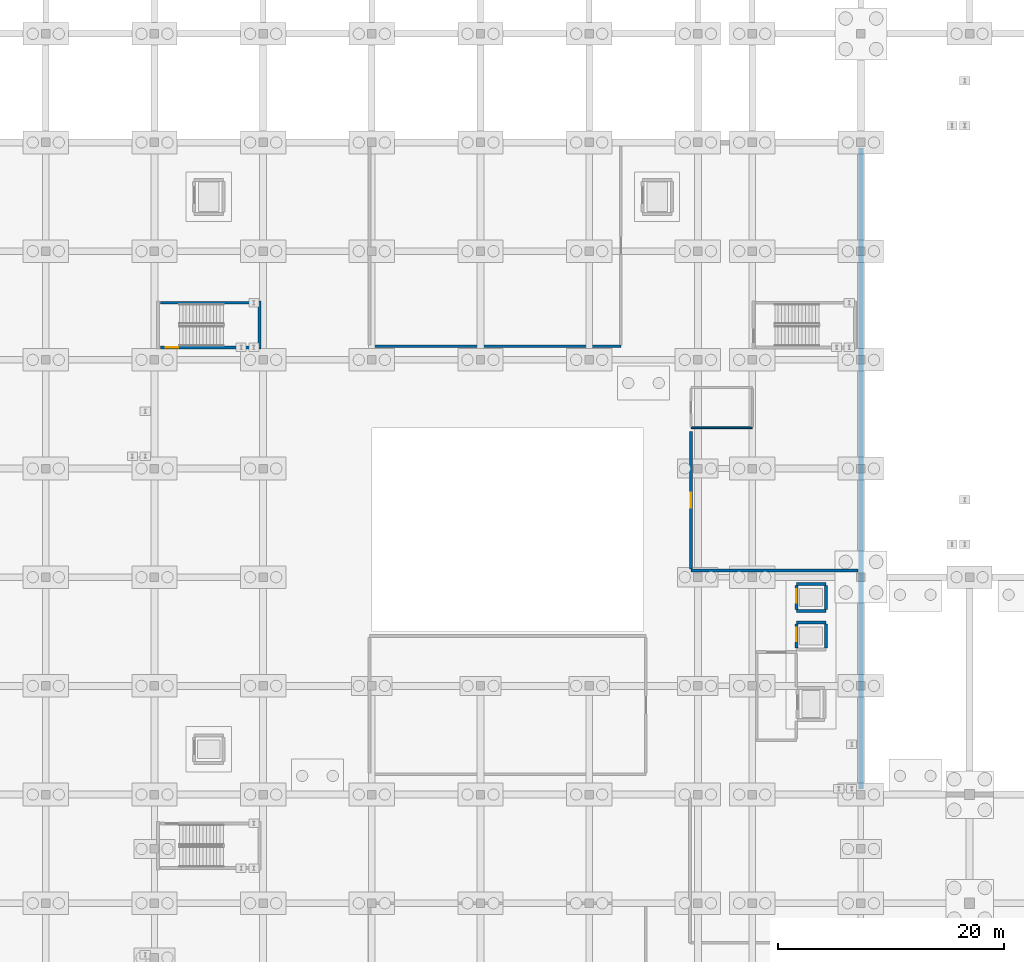
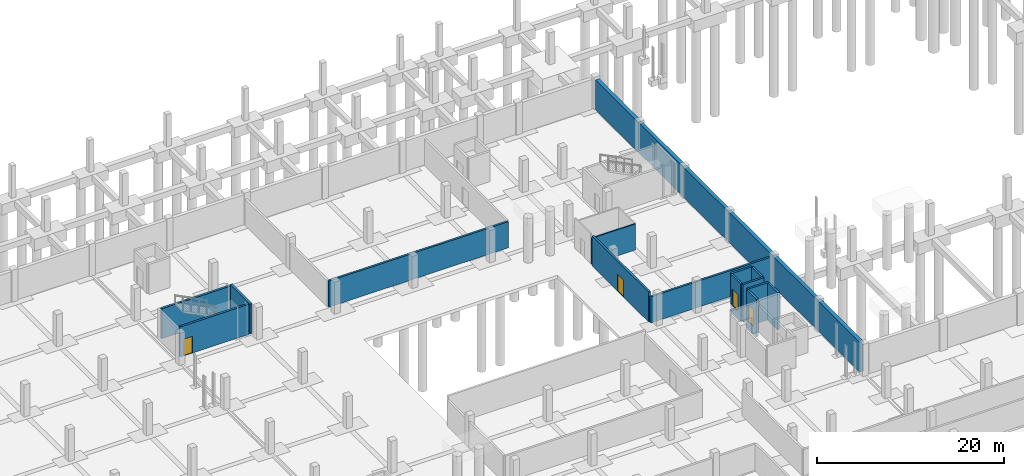
# One storey, part 40 of 54: 15 walls, 4 doors, 4 openings.
"""IFC4 building model written with IfcOpenShell, lengths in metres."""

from ifc_helpers import new_model, si_unit, direction, frame, frame_2d, origin, place, context, subcontext, project, spatial, rectangle, extrude, material, layer, layer_set, type_object, element, fill, save


model = new_model("IFC4")

# Units and contexts
model_context = context("Model", 3, precision=1e-05, world=origin(), true_north=direction((0.0, 1.0)))
body_context = subcontext(model_context, "Body", "Model", "MODEL_VIEW")
ifc_project = project(units=[si_unit("LENGTHUNIT", "METRE"), si_unit("AREAUNIT", "SQUARE_METRE"), si_unit("VOLUMEUNIT", "CUBIC_METRE"), si_unit("PLANEANGLEUNIT", "RADIAN"), si_unit("MASSUNIT", "GRAM", prefix="KILO")], contexts=[model_context])

# Site, building, storey
site_placement = place(None, origin())
site = spatial("IfcSite", under=ifc_project, at=site_placement, CompositionType="ELEMENT")
building_placement = place(site_placement, origin())
building = spatial("IfcBuilding", under=site, at=building_placement, Name="Zevrakil Square Congress Hotel", CompositionType="ELEMENT")
storey_placement = place(building_placement, frame((0.0, 0.0, -8.39990234375)))
storey = spatial("IfcBuildingStorey", under=building, at=storey_placement, Name="B2", CompositionType="ELEMENT", Elevation=-8.39990234375)

# Walls
ifc_material_1 = material(Name="Concrete C35/45", Category="concrete")
ifc_layer_1 = layer(ifc_material_1, 0.239990234375)
ifc_layer_set_1 = layer_set([ifc_layer_1], Name="Concrete C35/45")
wall_type_1 = type_object("IfcWallType", Name="WAL-COMP-240", PredefinedType="SOLIDWALL", material=ifc_layer_set_1)
wall_1_placement = place(storey_placement, frame((74.199951171875, 85.199951171875, 0.0), z_axis=(0.0, 0.0, 1.0), x_axis=(1.0, 0.0, 0.0)))
element("IfcWall", 1, at=wall_1_placement, inside=storey, type_object=wall_type_1, Name="B2 interior partition PW-B2-0092", PredefinedType="SOLIDWALL", context=body_context, shape_type="SweptSolid", body=[
    extrude(rectangle(XDim=22.199951171875, YDim=0.239990234375, at=frame_2d((11.10009765625, 0.0))), origin(), (0.0, 0.0, 1.0), 3.414794921875),
])
wall_2_placement = place(storey_placement, frame((102.60009765625, 65.39990234375, 0.0), z_axis=(0.0, 0.0, 1.0), x_axis=(1.0, 0.0, 0.0)))
element("IfcWall", 2, at=wall_2_placement, inside=storey, type_object=wall_type_1, Name="B2 interior partition PW-B2-0095", PredefinedType="SOLIDWALL", context=body_context, shape_type="SweptSolid", body=[
    extrude(rectangle(XDim=14.75, YDim=0.239990234375, at=frame_2d((7.375, 0.0))), origin(), (0.0, 0.0, 1.0), 3.414794921875),
])

# Wall, opening, door
wall_3_placement = place(storey_placement, frame((102.60009765625, 65.52490234375, 0.0), z_axis=(0.0, 0.0, 1.0), x_axis=(0.0, 1.0, 0.0)))
wall_3 = element("IfcWall", 3, at=wall_3_placement, inside=storey, type_object=wall_type_1, Name="B2 interior partition PW-B2-0096", PredefinedType="SOLIDWALL", context=body_context, shape_type="SweptSolid", body=[
    extrude(rectangle(XDim=12.150146484375, YDim=0.239990234375, at=frame_2d((6.0751953125, 0.0))), origin(), (0.0, 0.0, 1.0), 3.929931640625),
])
opening_1_placement = place(wall_3_placement, frame((5.425048828125, 0.0, 0.0)))
opening_1 = element("IfcOpeningElement", 4, at=opening_1_placement, cuts=wall_3, Name="Opening ID-08", PredefinedType="OPENING", context=body_context, shape_type="SweptSolid", body=[
    extrude(rectangle(XDim=1.300048828125, YDim=2.199951171875, at=frame_2d((0.64990234375, 1.10009765625))), frame((0.0, 0.1298828125, 0.0), z_axis=(0.0, -1.0, 0.0), x_axis=(1.0, 0.0, 0.0)), (0.0, 0.0, 1.0), 0.260009765625),
])
ifc_material_2 = material(Name="Service Corridor Leaf-and-Half Door")
door_type_1 = type_object("IfcDoorType", Name="DOR-BOH-130", OperationType="NOTDEFINED", PredefinedType="DOOR", material=ifc_material_2)
door_1_placement = place(opening_1_placement, origin())
door_1 = element("IfcDoor", 5, at=door_1_placement, inside=storey, type_object=door_type_1, Name="B2 interior door 34", OperationType="SINGLE_SWING_RIGHT", OverallHeight=2.199951171875, OverallWidth=1.300048828125, PredefinedType="DOOR", context=body_context, shape_type="SweptSolid", body=[
    extrude(rectangle(XDim=1.300048828125, YDim=2.199951171875, at=frame_2d((0.64990234375, 1.10009765625))), frame((0.0, 0.02490234375, 0.0), z_axis=(0.0, -1.0, 0.0), x_axis=(1.0, 0.0, 0.0)), (0.0, 0.0, 1.0), 0.050048828125),
])
fill(opening_1, door_1)

# Walls
ifc_material_3 = material(Name="Gypsum Acoustic Stud Partition")
ifc_layer_2 = layer(ifc_material_3, 0.159912109375)
ifc_layer_set_2 = layer_set([ifc_layer_2], Name="Gypsum Acoustic Stud Partition")
wall_type_2 = type_object("IfcWallType", Name="WAL-CORR-160", PredefinedType="PARTITIONING", material=ifc_layer_set_2)
wall_4_placement = place(storey_placement, frame((102.60009765625, 78.0, 0.0), z_axis=(0.0, 0.0, 1.0), x_axis=(1.0, 0.0, 0.0)))
element("IfcWall", 6, at=wall_4_placement, inside=storey, type_object=wall_type_2, Name="B2 interior partition PW-B2-0081", PredefinedType="PARTITIONING", context=body_context, shape_type="SweptSolid", body=[
    extrude(rectangle(XDim=5.39990234375, YDim=0.159912109375, at=frame_2d((2.699951171875, 0.0))), origin(), (0.0, 0.0, 1.0), 3.414794921875),
])
ifc_material_4 = material(Name="Concrete C40/50", Category="concrete")
ifc_layer_3 = layer(ifc_material_4, 0.449951171875)
ifc_layer_set_3 = layer_set([ifc_layer_3], Name="Concrete C40/50")
wall_type_3 = type_object("IfcWallType", Name="WAL-RET-450", PredefinedType="SOLIDWALL", material=ifc_layer_set_3)
wall_5_placement = place(storey_placement, frame((117.60009765625, 46.10009765625, 0.0), z_axis=(0.0, 0.0, 1.0), x_axis=(0.0, 1.0, 0.0)))
element("IfcWall", 7, at=wall_5_placement, inside=storey, type_object=wall_type_3, Name="B2 perimeter concrete retaining wall 4", PredefinedType="SOLIDWALL", context=body_context, shape_type="SweptSolid", body=[
    extrude(rectangle(XDim=56.599853515625, YDim=0.449951171875, at=frame_2d((28.2998046875, 0.0))), origin(), (0.0, 0.0, 1.0), 3.929931640625),
])
ifc_material_5 = material(Name="Concrete C40/50", Category="concrete")
ifc_layer_4 = layer(ifc_material_5, 0.260009765625)
ifc_layer_set_4 = layer_set([ifc_layer_4], Name="Concrete C40/50")
wall_type_4 = type_object("IfcWallType", Name="WAL-SHAFT-260", PredefinedType="SHEAR", material=ifc_layer_set_4)
wall_6_placement = place(storey_placement, frame((64.4951171875, 84.93994140625, 0.0), z_axis=(0.0, 0.0, 1.0), x_axis=(0.0, 1.0, 0.0)))
element("IfcWall", 8, at=wall_6_placement, inside=storey, type_object=wall_type_4, Name="B2 ST05 stair shaft E wall", PredefinedType="SHEAR", context=body_context, shape_type="SweptSolid", body=[
    extrude(rectangle(XDim=4.27001953125, YDim=0.260009765625, at=frame_2d((2.135009765625, 0.0))), origin(), (0.0, 0.0, 1.0), 3.929931640625),
])

# Wall, opening, door
wall_7_placement = place(storey_placement, frame((55.739990234375, 85.10498046875, 0.0), z_axis=(0.0, 0.0, 1.0), x_axis=(1.0, 0.0, 0.0)))
wall_7 = element("IfcWall", 9, at=wall_7_placement, inside=storey, type_object=wall_type_4, Name="B2 ST05 stair shaft S wall", PredefinedType="SHEAR", context=body_context, shape_type="SweptSolid", body=[
    extrude(rectangle(XDim=8.52001953125, YDim=0.260009765625, at=frame_2d((4.260009765625, 0.0))), origin(), (0.0, 0.0, 1.0), 3.929931640625),
])
opening_2_placement = place(wall_7_placement, frame((0.449951171875, 0.0, 0.0)))
opening_2 = element("IfcOpeningElement", 10, at=opening_2_placement, cuts=wall_7, Name="Opening SD-ST05", PredefinedType="OPENING", context=body_context, shape_type="SweptSolid", body=[
    extrude(rectangle(XDim=1.10009765625, YDim=2.199951171875, at=frame_2d((0.550048828125, 1.10009765625))), frame((0.0, 0.14013671875, 0.0), z_axis=(0.0, -1.0, 0.0), x_axis=(1.0, 0.0, 0.0)), (0.0, 0.0, 1.0), 0.280029296875),
])
ifc_material_6 = material(Name="Steel S355 Fire-Rated Door", Category="steel")
door_type_2 = type_object("IfcDoorType", Name="DOR-STAIR-FD90-110", OperationType="NOTDEFINED", PredefinedType="DOOR", material=ifc_material_6)
door_2_placement = place(opening_2_placement, origin())
door_2 = element("IfcDoor", 11, at=door_2_placement, inside=storey, type_object=door_type_2, Name="B2 ST05 protected stair fire door", OperationType="SINGLE_SWING_RIGHT", OverallHeight=2.199951171875, OverallWidth=1.10009765625, PredefinedType="DOOR", context=body_context, shape_type="SweptSolid", body=[
    extrude(rectangle(XDim=1.10009765625, YDim=2.199951171875, at=frame_2d((0.550048828125, 1.10009765625))), frame((0.0, 0.02490234375, 0.0), z_axis=(0.0, -1.0, 0.0), x_axis=(1.0, 0.0, 0.0)), (0.0, 0.0, 1.0), 0.050048828125),
])
fill(opening_2, door_2)

# Walls
wall_8_placement = place(storey_placement, frame((55.739990234375, 89.044921875, 0.0), z_axis=(0.0, 0.0, 1.0), x_axis=(1.0, 0.0, 0.0)))
element("IfcWall", 12, at=wall_8_placement, inside=storey, type_object=wall_type_4, Name="B2 ST05 stair shaft N wall", PredefinedType="SHEAR", context=body_context, shape_type="SweptSolid", body=[
    extrude(rectangle(XDim=8.52001953125, YDim=0.260009765625, at=frame_2d((4.260009765625, 0.0))), origin(), (0.0, 0.0, 1.0), 3.929931640625),
])
wall_9_placement = place(storey_placement, frame((111.89990234375, 60.800048828125, -0.9501953125), z_axis=(0.0, 0.0, 1.0), x_axis=(1.0, 0.0, 0.0)))
element("IfcWall", 13, at=wall_9_placement, inside=storey, type_object=wall_type_4, Name="B2 CL1 lift shaft wall", PredefinedType="SHEAR", context=body_context, shape_type="SweptSolid", body=[
    extrude(rectangle(XDim=2.60009765625, YDim=0.260009765625, at=frame_2d((1.300048828125, 0.0))), origin(), (0.0, 0.0, 1.0), 4.880126953125),
])

# Wall, opening, door
wall_10_placement = place(storey_placement, frame((111.89990234375, 58.5400390625, -0.9501953125), z_axis=(0.0, 0.0, 1.0), x_axis=(0.0, 1.0, 0.0)))
wall_10 = element("IfcWall", 14, at=wall_10_placement, inside=storey, type_object=wall_type_4, Name="B2 CL1 lift shaft wall", PredefinedType="SHEAR", context=body_context, shape_type="SweptSolid", body=[
    extrude(rectangle(XDim=2.119873046875, YDim=0.260009765625, at=frame_2d((1.06005859375, 0.0))), origin(), (0.0, 0.0, 1.0), 4.880126953125),
])
opening_3_placement = place(wall_10_placement, frame((0.60009765625, 0.0, 0.949951171875)))
opening_3 = element("IfcOpeningElement", 15, at=opening_3_placement, cuts=wall_10, Name="Opening LD-CL1", PredefinedType="OPENING", context=body_context, shape_type="SweptSolid", body=[
    extrude(rectangle(XDim=1.199951171875, YDim=2.199951171875, at=frame_2d((0.60009765625, 1.10009765625))), frame((0.0, 0.14013671875, 0.0), z_axis=(0.0, -1.0, 0.0), x_axis=(1.0, 0.0, 0.0)), (0.0, 0.0, 1.0), 0.280029296875),
])
ifc_material_7 = material(Name="Stainless Steel Sliding Lift Landing Door", Category="steel")
door_type_3 = type_object("IfcDoorType", Name="DOR-LIFT-LD120", OperationType="NOTDEFINED", PredefinedType="DOOR", material=ifc_material_7)
door_3_placement = place(opening_3_placement, origin())
door_3 = element("IfcDoor", 16, at=door_3_placement, inside=storey, type_object=door_type_3, Name="B2 CL1 sliding lift landing door", OperationType="SLIDING_TO_RIGHT", OverallHeight=2.199951171875, OverallWidth=1.199951171875, PredefinedType="DOOR", context=body_context, shape_type="SweptSolid", body=[
    extrude(rectangle(XDim=1.199951171875, YDim=2.199951171875, at=frame_2d((0.60009765625, 1.10009765625))), frame((0.0, 0.02490234375, 0.0), z_axis=(0.0, -1.0, 0.0), x_axis=(1.0, 0.0, 0.0)), (0.0, 0.0, 1.0), 0.050048828125),
])
fill(opening_3, door_3)

# Walls
wall_11_placement = place(storey_placement, frame((114.5, 58.5400390625, -0.9501953125), z_axis=(0.0, 0.0, 1.0), x_axis=(0.0, 1.0, 0.0)))
element("IfcWall", 17, at=wall_11_placement, inside=storey, type_object=wall_type_4, Name="B2 CL1 lift shaft wall", PredefinedType="SHEAR", context=body_context, shape_type="SweptSolid", body=[
    extrude(rectangle(XDim=2.119873046875, YDim=0.260009765625, at=frame_2d((1.06005859375, 0.0))), origin(), (0.0, 0.0, 1.0), 4.880126953125),
])
for number, where, z_axis, x_axis, name in (
    (18, (111.89990234375, 61.800048828125, -0.9501953125), (0.0, 0.0, 1.0), (1.0, 0.0, 0.0), "B2 CL2 lift shaft wall"),
    (19, (111.89990234375, 64.199951171875, -0.9501953125), (0.0, 0.0, 1.0), (1.0, 0.0, 0.0), "B2 CL2 lift shaft wall"),
):
    element("IfcWall", number, at=place(storey_placement, frame(where, z_axis=z_axis, x_axis=x_axis)), inside=storey, type_object=wall_type_4, Name=name, PredefinedType="SHEAR", context=body_context, shape_type="SweptSolid", body=[
        extrude(rectangle(XDim=2.60009765625, YDim=0.260009765625, at=frame_2d((1.300048828125, 0.0))), origin(), (0.0, 0.0, 1.0), 4.880126953125),
    ])

# Wall, opening, door
wall_12_placement = place(storey_placement, frame((111.89990234375, 61.93994140625, -0.9501953125), z_axis=(0.0, 0.0, 1.0), x_axis=(0.0, 1.0, 0.0)))
wall_12 = element("IfcWall", 20, at=wall_12_placement, inside=storey, type_object=wall_type_4, Name="B2 CL2 lift shaft wall", PredefinedType="SHEAR", context=body_context, shape_type="SweptSolid", body=[
    extrude(rectangle(XDim=2.1201171875, YDim=0.260009765625, at=frame_2d((1.06005859375, 0.0))), origin(), (0.0, 0.0, 1.0), 4.880126953125),
])
opening_4_placement = place(wall_12_placement, frame((0.60009765625, 0.0, 0.949951171875)))
opening_4 = element("IfcOpeningElement", 21, at=opening_4_placement, cuts=wall_12, Name="Opening LD-CL2", PredefinedType="OPENING", context=body_context, shape_type="SweptSolid", body=[
    extrude(rectangle(XDim=1.199951171875, YDim=2.199951171875, at=frame_2d((0.60009765625, 1.10009765625))), frame((0.0, 0.14013671875, 0.0), z_axis=(0.0, -1.0, 0.0), x_axis=(1.0, 0.0, 0.0)), (0.0, 0.0, 1.0), 0.280029296875),
])
door_4_placement = place(opening_4_placement, origin())
door_4 = element("IfcDoor", 22, at=door_4_placement, inside=storey, type_object=door_type_3, Name="B2 CL2 sliding lift landing door", OperationType="SLIDING_TO_LEFT", OverallHeight=2.199951171875, OverallWidth=1.199951171875, PredefinedType="DOOR", context=body_context, shape_type="SweptSolid", body=[
    extrude(rectangle(XDim=1.199951171875, YDim=2.199951171875, at=frame_2d((0.60009765625, 1.10009765625))), frame((0.0, 0.02490234375, 0.0), z_axis=(0.0, -1.0, 0.0), x_axis=(1.0, 0.0, 0.0)), (0.0, 0.0, 1.0), 0.050048828125),
])
fill(opening_4, door_4)

# Wall
wall_13_placement = place(storey_placement, frame((114.5, 61.93994140625, -0.9501953125), z_axis=(0.0, 0.0, 1.0), x_axis=(0.0, 1.0, 0.0)))
element("IfcWall", 23, at=wall_13_placement, inside=storey, type_object=wall_type_4, Name="B2 CL2 lift shaft wall", PredefinedType="SHEAR", context=body_context, shape_type="SweptSolid", body=[
    extrude(rectangle(XDim=2.1201171875, YDim=0.260009765625, at=frame_2d((1.06005859375, 0.0))), origin(), (0.0, 0.0, 1.0), 4.880126953125),
])

save(model, "model.ifc")
